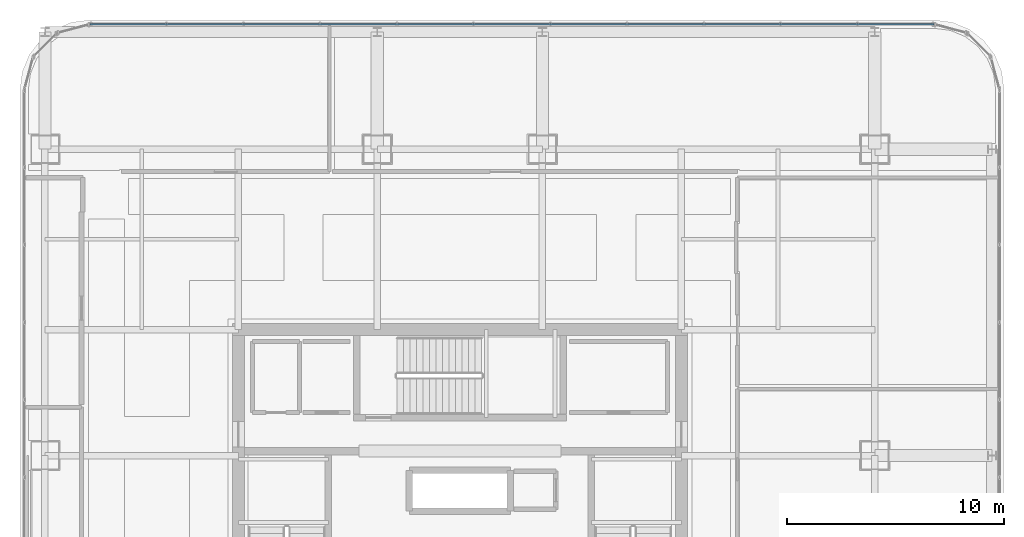
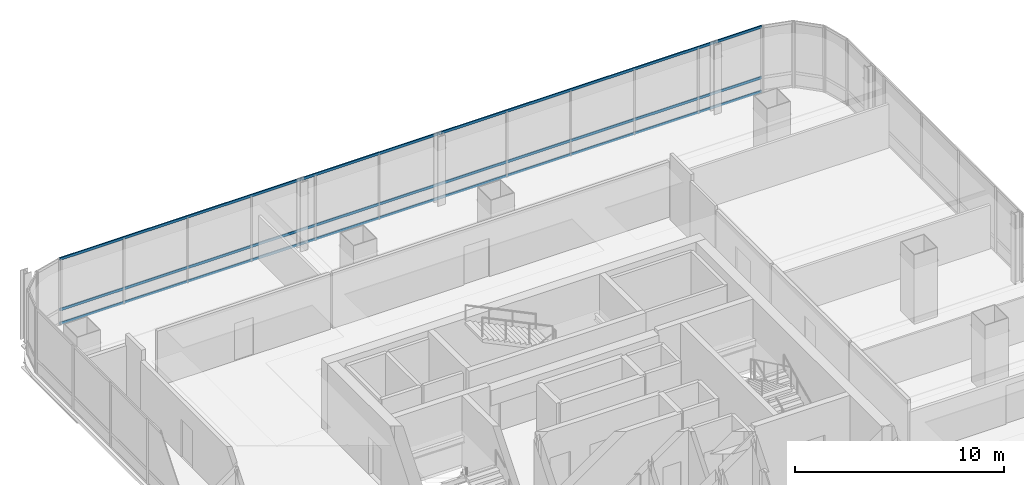
# One storey, part 28 of 42: 3 members, 1 element without a shape of its own.
"""IFC4 building model written with IfcOpenShell, lengths in metres."""

import ifcopenshell
import ifcopenshell.guid

model = None  # the IFC model being written
_history = None  # IfcOwnerHistory: only IFC2X3 demands one
_inside = {}  # id of a spatial element -> (the spatial element, [elements in it])
_under = {}  # id of a project, library or spatial element -> (it, [spatial elements below it])
_declared = {}  # id of a project -> (the project, [libraries it declares])
_typed = {}  # id of a type object -> (the type object, [elements of that type])
_made_of = {}  # id of a material, layer set ... -> (it, [elements and type objects made of it])


def new_model(schema):
    """Start an empty IFC model of exactly this schema.

    Asked for "IFC4X3", IfcOpenShell would pick the latest addendum, in which some entities
    have other attributes; the version numbers below select the first issue.
    IFC2X3 requires an IfcOwnerHistory on every rooted entity: one is made here for all.
    """
    global model, _history
    if schema == "IFC4X3":
        model = ifcopenshell.file(schema_version=(4, 3, 0, 0))
    else:
        model = ifcopenshell.file(schema=schema)
    _inside.clear()
    _under.clear()
    _declared.clear()
    _typed.clear()
    _made_of.clear()
    _history = None
    if model.schema == "IFC2X3":
        org = make("IfcOrganization", Name="unknown")
        user = make(
            "IfcPersonAndOrganization",
            ThePerson=make("IfcPerson", FamilyName="unknown"),
            TheOrganization=org,
        )
        app = make(
            "IfcApplication",
            ApplicationDeveloper=org,
            Version="unknown",
            ApplicationFullName="unknown",
            ApplicationIdentifier="unknown",
        )
        _history = make(
            "IfcOwnerHistory",
            OwningUser=user,
            OwningApplication=app,
            ChangeAction="ADDED",
            CreationDate=0,
        )
    return model


def make(cls, **values):
    """One entity of the class cls with the attributes given. An attribute that is None is left unset."""
    return model.create_entity(
        cls, **{name: value for name, value in values.items() if value is not None}
    )


def rooted(cls, **values):
    """An entity with a GlobalId (a new one), such as an element, a storey or a relation."""
    return make(cls, GlobalId=ifcopenshell.guid.new(), OwnerHistory=_history, **values)


def si_unit(unit_type, name, prefix=None):
    """IfcSIUnit, for example si_unit("LENGTHUNIT", "METRE", prefix="MILLI")."""
    return make("IfcSIUnit", UnitType=unit_type, Prefix=prefix, Name=name)


def assignment(units):
    """IfcUnitAssignment: the units of a project."""
    return None if units is None else make("IfcUnitAssignment", Units=units)


def point(xyz):
    """IfcCartesianPoint."""
    return None if xyz is None else make("IfcCartesianPoint", Coordinates=xyz)


def direction(xyz):
    """IfcDirection."""
    return None if xyz is None else make("IfcDirection", DirectionRatios=xyz)


def frame(location, z_axis=None, x_axis=None):
    """IfcAxis2Placement3D, a coordinate frame: its origin and axes. An axis left out is left unset."""
    return make(
        "IfcAxis2Placement3D",
        Location=point(location),
        Axis=direction(z_axis),
        RefDirection=direction(x_axis),
    )


def frame_2d(location, x_axis=None):
    """IfcAxis2Placement2D, a coordinate frame in the plane: its origin and x axis."""
    return make(
        "IfcAxis2Placement2D", Location=point(location), RefDirection=direction(x_axis)
    )


def origin():
    """The frame at (0, 0, 0) with its axes left unset."""
    return frame((0.0, 0.0, 0.0))


def origin_2d():
    """The frame at (0, 0) in the plane with its x axis left unset."""
    return frame_2d((0.0, 0.0))


def place(relative_to, where):
    """IfcLocalPlacement: puts the frame where relative to a parent placement (None: the world)."""
    return make(
        "IfcLocalPlacement", PlacementRelTo=relative_to, RelativePlacement=where
    )


def context(
    kind, dimensions, precision=None, world=None, true_north=None, identifier=None
):
    """IfcGeometricRepresentationContext, for example the 3D "Model" context."""
    return make(
        "IfcGeometricRepresentationContext",
        ContextIdentifier=identifier,
        ContextType=kind,
        CoordinateSpaceDimension=dimensions,
        Precision=precision,
        WorldCoordinateSystem=world,
        TrueNorth=true_north,
    )


def subcontext(parent, identifier, kind, view, scale=None):
    """IfcGeometricRepresentationSubContext, for example "Body" below "Model"."""
    return make(
        "IfcGeometricRepresentationSubContext",
        ContextIdentifier=identifier,
        ContextType=kind,
        ParentContext=parent,
        TargetScale=scale,
        TargetView=view,
    )


def project(units=None, contexts=None):
    """IfcProject with its units and contexts."""
    return rooted(
        "IfcProject",
        Name="project",
        RepresentationContexts=contexts,
        UnitsInContext=assignment(units),
    )


def spatial(cls, under=None, at=None, **own):
    """A site, building, storey or space (cls), placed at a placement, below another one or the project."""
    s = rooted(cls, ObjectPlacement=at, **own)
    if under is not None:
        _under.setdefault(under.id(), (under, []))[1].append(s)
    return s


def profile(cls, at=None, kind="AREA", **sizes):
    """A parametric profile (cls). Its sizes go by their IFC names, for example OverallWidth=200.0."""
    return make(cls, ProfileType=kind, Position=at, **sizes)


def hollow_rectangle(**sizes):
    """IfcRectangleHollowProfileDef."""
    return profile("IfcRectangleHollowProfileDef", **sizes)


def extrude(swept, where, along, depth):
    """IfcExtrudedAreaSolid: the profile swept, set in the frame where, extruded along a direction by depth."""
    return make(
        "IfcExtrudedAreaSolid",
        SweptArea=swept,
        Position=where,
        ExtrudedDirection=direction(along),
        Depth=depth,
    )


def shape(context_of_items, identifier, shape_type, items):
    """IfcShapeRepresentation: the items that make up one representation, for example the "Body"."""
    return make(
        "IfcShapeRepresentation",
        ContextOfItems=context_of_items,
        RepresentationIdentifier=identifier,
        RepresentationType=shape_type,
        Items=items,
    )


def material(Name=None, Category=None):
    """IfcMaterial."""
    return make("IfcMaterial", Name=Name, Category=Category)


def material_profile(
    of_material, cross_section, Name=None, Category=None, Priority=None
):
    """IfcMaterialProfile: a cross section and its material."""
    return make(
        "IfcMaterialProfile",
        Name=Name,
        Material=of_material,
        Profile=cross_section,
        Priority=Priority,
        Category=Category,
    )


def profile_set(profiles, Name=None, composite=None):
    """IfcMaterialProfileSet."""
    return make(
        "IfcMaterialProfileSet",
        Name=Name,
        MaterialProfiles=profiles,
        CompositeProfile=composite,
    )


def made_of(thing, what):
    """Note that an element or type object is made of a material, layer set ...; save() writes the relation."""
    if what is not None:
        _made_of.setdefault(what.id(), (what, []))[1].append(thing)
    return thing


def type_object(cls, material=None, **own):
    """A type object (cls), such as IfcWallType, which elements share."""
    return made_of(rooted(cls, **own), material)


def element(
    cls,
    number,
    at=None,
    inside=None,
    cuts=None,
    type_object=None,
    material=None,
    context=None,
    identifier="Body",
    shape_type=None,
    held_by="IfcProductDefinitionShape",
    body=None,
    shapes=None,
    **own,
):
    """One element of the class cls, such as IfcWall. Its Tag is "e" and its number.

    at: its placement. inside: the storey or other place that contains it. cuts: it is an
    opening in that element (IfcRelVoidsElement). A single representation is given by context,
    identifier, shape_type and body (its items); several are given by shapes. held_by: the class
    of the entity that holds the representations. save() writes the other relations.
    """
    e = rooted(cls, Tag="e%d" % number, ObjectPlacement=at, **own)
    if body is not None:
        shapes = [shape(context, identifier, shape_type, body)]
    if shapes is not None:
        e.Representation = make(held_by, Representations=shapes)
    if inside is not None:
        _inside.setdefault(inside.id(), (inside, []))[1].append(e)
    if cuts is not None:
        rooted(
            "IfcRelVoidsElement", RelatingBuildingElement=cuts, RelatedOpeningElement=e
        )
    if type_object is not None:
        _typed.setdefault(type_object.id(), (type_object, []))[1].append(e)
    return made_of(e, material)


def aggregate(whole, parts):
    """IfcRelAggregates: a whole, such as a stair, and the parts it consists of."""
    return rooted("IfcRelAggregates", RelatingObject=whole, RelatedObjects=parts)


def save(model, path):
    """Write the relations noted so far, then the file.

    IfcRelAggregates (storeys below a building ...), IfcRelContainedInSpatialStructure (elements
    in a storey), IfcRelDefinesByType, IfcRelAssociatesMaterial and IfcRelDeclares: one each for
    every whole, place, type object, material and project.
    """
    for whole, parts in _under.values():
        aggregate(whole, parts)
    for where, things in _inside.values():
        rooted(
            "IfcRelContainedInSpatialStructure",
            RelatedElements=things,
            RelatingStructure=where,
        )
    for kind, things in _typed.values():
        rooted("IfcRelDefinesByType", RelatedObjects=things, RelatingType=kind)
    for what, things in _made_of.values():
        rooted("IfcRelAssociatesMaterial", RelatedObjects=things, RelatingMaterial=what)
    for by, libraries in _declared.values():
        rooted("IfcRelDeclares", RelatingContext=by, RelatedDefinitions=libraries)
    model.write(path)


model = new_model("IFC4")

# Units and contexts
model_context = context("Model", 3, precision=1e-05, world=origin(), true_north=direction((0.0, 1.0)))
body_context = subcontext(model_context, "Body", "Model", "MODEL_VIEW")
ifc_project = project(units=[si_unit("LENGTHUNIT", "METRE"), si_unit("AREAUNIT", "SQUARE_METRE"), si_unit("VOLUMEUNIT", "CUBIC_METRE"), si_unit("PLANEANGLEUNIT", "RADIAN"), si_unit("MASSUNIT", "GRAM", prefix="KILO")], contexts=[model_context])

# Site, building, storey
site_placement = place(None, origin())
site = spatial("IfcSite", under=ifc_project, at=site_placement, CompositionType="ELEMENT")
building_placement = place(site_placement, origin())
building = spatial("IfcBuilding", under=site, at=building_placement, Name="Punatoya Terracotta Tower", CompositionType="ELEMENT")
storey_placement = place(building_placement, frame((0.0, 0.0, 259.5)))
storey = spatial("IfcBuildingStorey", under=building, at=storey_placement, Name="L61", CompositionType="ELEMENT", Elevation=259.5)

# Curtain wall, members
ifc_material_1 = material(Name="Aluminium 6063-T6 + Double Low-E Glass", Category="aluminium")
curtain_wall_type = type_object("IfcCurtainWallType", Name="CW-M3", PredefinedType="NOTDEFINED", material=ifc_material_1)
curtain_wall_placement = place(storey_placement, origin())
curtain_wall = element("IfcCurtainWall", 1, at=curtain_wall_placement, inside=storey, type_object=curtain_wall_type, Name="L61 Curtain Wall CW-L61-N09-1", PredefinedType="NOTDEFINED")
ifc_material_2 = material(Name="Aluminium 6063-T6", Category="aluminium")
ifc_material_profile = material_profile(ifc_material_2, hollow_rectangle(XDim=0.068115234375, YDim=0.14990234375, WallThickness=0.00390625, at=origin_2d()))
ifc_profile_set = profile_set([ifc_material_profile], Name="Aluminium 6063-T6")
member_type = type_object("IfcMemberType", Name="CW-TRN-TYP", PredefinedType="USERDEFINED", material=ifc_profile_set)
member_1_placement = place(storey_placement, frame((21.8369140625, 23.25, 0.0400390625), z_axis=(-1.0, 0.0, 0.0), x_axis=(0.0, -1.0, 0.0)))
member_1 = element("IfcMember", 2, at=member_1_placement, type_object=member_type, Name="CW-L61-N09-1 Transom 1", ObjectType="TRANSOM", PredefinedType="USERDEFINED", context=body_context, shape_type="SweptSolid", body=[
    extrude(hollow_rectangle(XDim=0.068115234375, YDim=0.14990234375, WallThickness=0.00390625, at=origin_2d()), origin(), (0.0, 0.0, 1.0), 38.873779296875),
])
member_2_placement = place(storey_placement, frame((21.8369140625, 23.25, 0.85009765625), z_axis=(-1.0, 0.0, 0.0), x_axis=(0.0, -1.0, 0.0)))
member_2 = element("IfcMember", 3, at=member_2_placement, type_object=member_type, Name="CW-L61-N09-1 Transom 2", ObjectType="TRANSOM", PredefinedType="USERDEFINED", context=body_context, shape_type="SweptSolid", body=[
    extrude(hollow_rectangle(XDim=0.068115234375, YDim=0.14990234375, WallThickness=0.00390625, at=origin_2d()), origin(), (0.0, 0.0, 1.0), 38.873779296875),
])
member_3_placement = place(storey_placement, frame((21.8369140625, 23.25, 3.81005859375), z_axis=(-1.0, 0.0, 0.0), x_axis=(0.0, -1.0, 0.0)))
member_3 = element("IfcMember", 4, at=member_3_placement, type_object=member_type, Name="CW-L61-N09-1 Transom 3", ObjectType="TRANSOM", PredefinedType="USERDEFINED", context=body_context, shape_type="SweptSolid", body=[
    extrude(hollow_rectangle(XDim=0.068115234375, YDim=0.14990234375, WallThickness=0.00390625, at=origin_2d()), origin(), (0.0, 0.0, 1.0), 38.873779296875),
])
aggregate(curtain_wall, [member_1, member_2, member_3])

save(model, "model.ifc")
